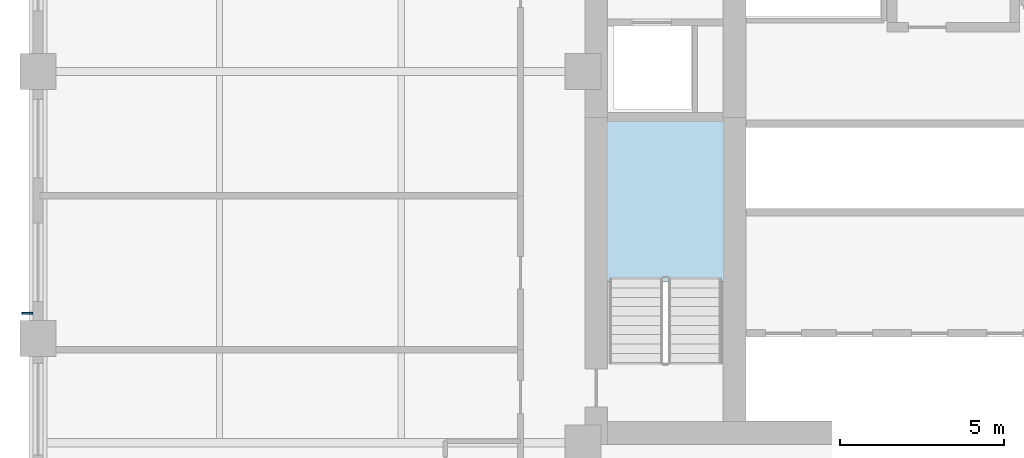
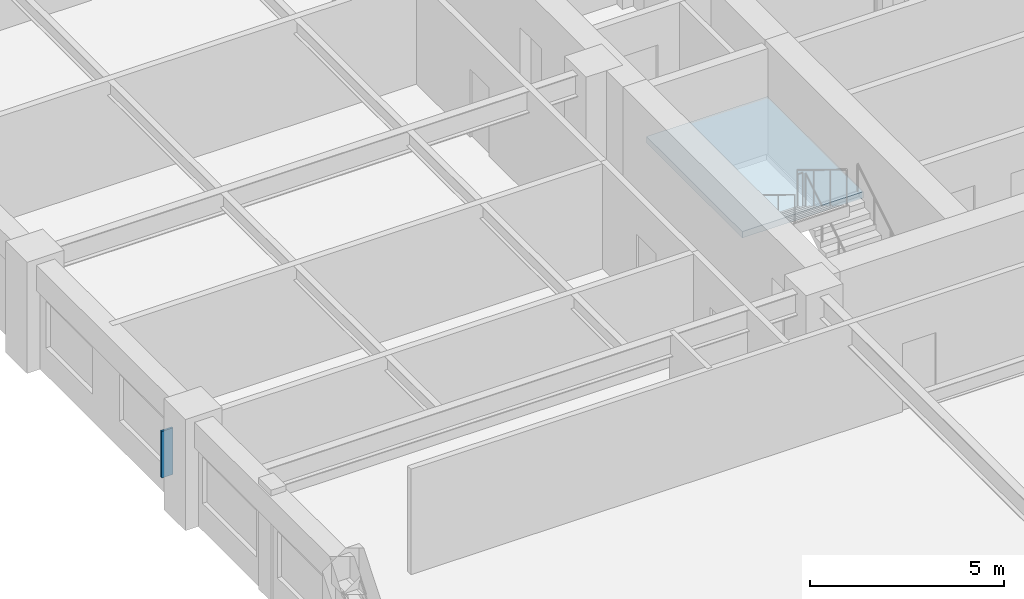
# One storey, part 2 of 9: 1 plate, 1 slab, 1 element without a shape of its own.
"""IFC4 building model written with IfcOpenShell, lengths in metres."""

from ifc_helpers import new_model, si_unit, direction, frame, origin, origin_2d, place, context, subcontext, project, spatial, polyline, rectangle, outline, extrude, material, layer, layer_set, type_object, element, aggregate, save


model = new_model("IFC4")

# Units and contexts
model_context = context("Model", 3, precision=1e-05, world=origin(), true_north=direction((0.0, 1.0)))
body_context = subcontext(model_context, "Body", "Model", "MODEL_VIEW")
ifc_project = project(units=[si_unit("LENGTHUNIT", "METRE"), si_unit("AREAUNIT", "SQUARE_METRE"), si_unit("VOLUMEUNIT", "CUBIC_METRE"), si_unit("PLANEANGLEUNIT", "RADIAN"), si_unit("MASSUNIT", "GRAM", prefix="KILO")], contexts=[model_context])

# Site, building, storey
site_placement = place(None, origin())
site = spatial("IfcSite", under=ifc_project, at=site_placement, CompositionType="ELEMENT")
building_placement = place(site_placement, origin())
building = spatial("IfcBuilding", under=site, at=building_placement, Name="Nhamokura Convention Tower", CompositionType="ELEMENT")
storey_placement = place(building_placement, frame((0.0, 0.0, 85.75)))
storey = spatial("IfcBuildingStorey", under=building, at=storey_placement, Name="L20", CompositionType="ELEMENT", Elevation=85.75)

# Plate
ifc_material_1 = material(Name="Anodised bronze aluminium AA6063-T6", Category="aluminium")
plate_type = type_object("IfcPlateType", Name="BronzeSolarFin_1", PredefinedType="USERDEFINED", material=ifc_material_1)
plate_placement = place(storey_placement, frame((3.669921875, 24.61669921875, 0.85009765625), z_axis=(0.0, 0.0, 1.0), x_axis=(1.0, 0.0, 0.0)))
element("IfcPlate", 1, at=plate_placement, inside=storey, type_object=plate_type, Name="L20 Bronze Solar Shading Fin WEST 2", ObjectType="SOLAR_FIN", PredefinedType="USERDEFINED", context=body_context, shape_type="SweptSolid", body=[
    extrude(rectangle(XDim=0.340087890625, YDim=0.06005859375, at=origin_2d()), origin(), (0.0, 0.0, 1.0), 1.469970703125),
])

# Stair, slab
ifc_material_2 = material(Name="Concrete C40/50", Category="concrete")
stair_type = type_object("IfcStairType", Name="TowerCoreStair_1650", PredefinedType="HALF_TURN_STAIR", material=ifc_material_2)
stair_placement = place(storey_placement, origin())
stair = element("IfcStair", 2, at=stair_placement, inside=storey, type_object=stair_type, Name="L20 West Core Smokeproof Stair ST-01", PredefinedType="HALF_TURN_STAIR")
ifc_material_3 = material(Name="Concrete C40/50", Category="concrete")
ifc_layer = layer(ifc_material_3, 0.199951171875)
ifc_layer_set = layer_set([ifc_layer], Name="StairLandingSlab_200")
slab_type = type_object("IfcSlabType", Name="StairLandingSlab_200", PredefinedType="LANDING", material=ifc_layer_set)
slab_placement = place(storey_placement, frame((0.0, 0.0, 1.550048828125)))
slab = element("IfcSlab", 3, at=slab_placement, type_object=slab_type, Name="ST-01 landing 1", PredefinedType="LANDING", context=body_context, shape_type="SweptSolid", body=[
    extrude(outline(polyline([(24.97998046875, 25.5849609375), (24.97998046875, 30.530029296875), (21.3701171875, 30.530029296875), (21.3701171875, 25.5849609375), (24.97998046875, 25.5849609375)])), origin(), (0.0, 0.0, 1.0), 0.199951171875),
])
aggregate(stair, [slab])

save(model, "model.ifc")
